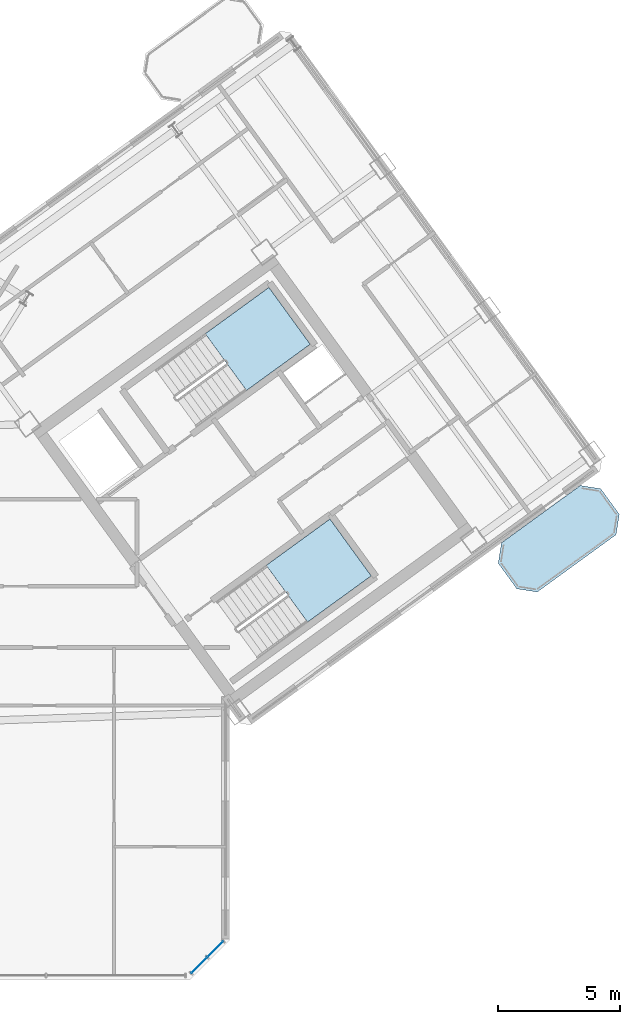
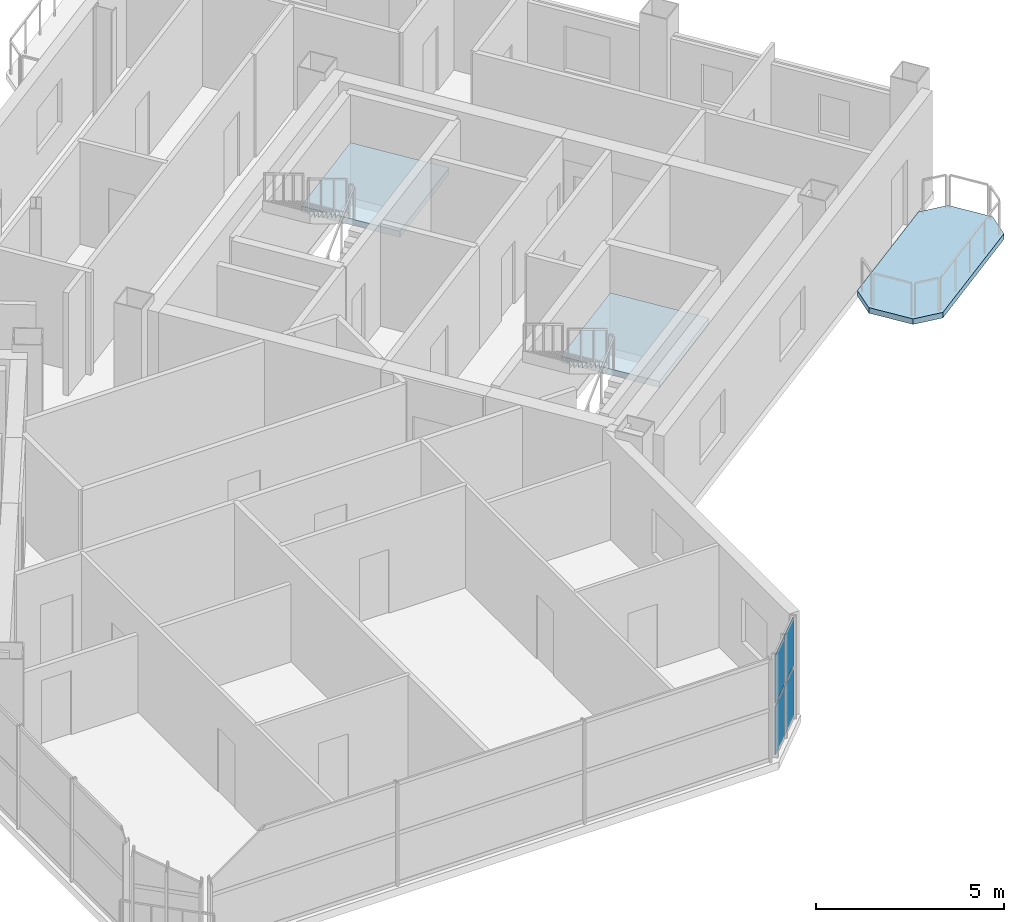
# One storey, part 10 of 21: 4 plates, 3 slabs, 3 elements without a shape of their own.
"""IFC4 building model written with IfcOpenShell, lengths in metres."""

from ifc_helpers import new_model, si_unit, direction, frame, origin, origin_2d, place, context, subcontext, project, spatial, polyline, rectangle, outline, extrude, source, transform, mapped, material, layer, layer_set, type_object, element, aggregate, save


model = new_model("IFC4")

# Units and contexts
model_context = context("Model", 3, precision=1e-05, world=origin(), true_north=direction((0.0, 1.0)))
body_context = subcontext(model_context, "Body", "Model", "MODEL_VIEW")
ifc_project = project(units=[si_unit("LENGTHUNIT", "METRE"), si_unit("AREAUNIT", "SQUARE_METRE"), si_unit("VOLUMEUNIT", "CUBIC_METRE"), si_unit("PLANEANGLEUNIT", "RADIAN"), si_unit("MASSUNIT", "GRAM", prefix="KILO")], contexts=[model_context])

# Site, building, storey
site_placement = place(None, origin())
site = spatial("IfcSite", under=ifc_project, at=site_placement, CompositionType="ELEMENT")
building_placement = place(site_placement, origin())
building = spatial("IfcBuilding", under=site, at=building_placement, Name="Tlacorven Tower", CompositionType="ELEMENT")
storey_placement = place(building_placement, frame((0.0, 0.0, 222.0)))
storey = spatial("IfcBuildingStorey", under=building, at=storey_placement, Name="L56", CompositionType="ELEMENT", Elevation=222.0)

# Slab
ifc_material_1 = material(Name="Precast concrete C45/55", Category="concrete")
ifc_layer_1 = layer(ifc_material_1, 0.179931640625)
ifc_layer_set_1 = layer_set([ifc_layer_1], Name="Precast concrete C45/55")
slab_type_1 = type_object("IfcSlabType", Name="SL-BAL-180", PredefinedType="USERDEFINED", material=ifc_layer_set_1)
slab_1_placement = place(storey_placement, frame((0.0, 0.0, -0.179931640625)))
element("IfcSlab", 1, at=slab_1_placement, inside=storey, type_object=slab_type_1, Name="L56 East Wing Balcony Ribbon OUT", ObjectType="BALCONY SLAB", PredefinedType="USERDEFINED", context=body_context, shape_type="SweptSolid", body=[
    extrude(outline(polyline([(65.025634765625, 17.69482421875), (68.26171875, 20.046142578125), (68.394287109375, 20.884033203125), (67.633056640625, 21.931884765625), (66.795166015625, 22.064453125), (63.55908203125, 19.71337890625), (63.42626953125, 18.875244140625), (64.1875, 17.82763671875), (65.025634765625, 17.69482421875)])), origin(), (0.0, 0.0, 1.0), 0.179931640625),
])

# Stair, slab
ifc_material_2 = material(Name="Concrete C40/50", Category="concrete")
stair_type = type_object("IfcStairType", Name="ST-CORE-DLG", PredefinedType="HALF_TURN_STAIR", material=ifc_material_2)
stair_1_placement = place(storey_placement, origin())
stair_1 = element("IfcStair", 2, at=stair_1_placement, inside=storey, type_object=stair_type, Name="L56 Protected Exit Stair East 1", PredefinedType="HALF_TURN_STAIR")
ifc_layer_2 = layer(ifc_material_2, 0.199951171875)
ifc_layer_set_2 = layer_set([ifc_layer_2], Name="Concrete C40/50")
slab_type_2 = type_object("IfcSlabType", Name="SL-LND-200", PredefinedType="LANDING", material=ifc_layer_set_2)
slab_2_placement = place(storey_placement, frame((0.0, 0.0, 1.60009765625)))
slab_2 = element("IfcSlab", 3, at=slab_2_placement, type_object=slab_type_2, Name="ST-E1 landing 1", PredefinedType="LANDING", context=body_context, shape_type="SweptSolid", body=[
    extrude(outline(polyline([(53.09765625, 25.962890625), (55.7109375, 27.861572265625), (54.01806640625, 30.19140625), (51.40478515625, 28.29296875), (53.09765625, 25.962890625)])), origin(), (0.0, 0.0, 1.0), 0.199951171875),
])
aggregate(stair_1, [slab_2])

stair_2_placement = place(storey_placement, origin())
stair_2 = element("IfcStair", 4, at=stair_2_placement, inside=storey, type_object=stair_type, Name="L56 Protected Exit Stair East 2", PredefinedType="HALF_TURN_STAIR")
slab_3_placement = place(storey_placement, frame((0.0, 0.0, 1.60009765625)))
slab_3 = element("IfcSlab", 5, at=slab_3_placement, type_object=slab_type_2, Name="ST-E2 landing 1", PredefinedType="LANDING", context=body_context, shape_type="SweptSolid", body=[
    extrude(outline(polyline([(55.601806640625, 16.4599609375), (58.21484375, 18.3583984375), (56.52197265625, 20.6884765625), (53.908935546875, 18.789794921875), (55.601806640625, 16.4599609375)])), origin(), (0.0, 0.0, 1.0), 0.199951171875),
])
aggregate(stair_2, [slab_3])

# Curtain wall, plates
ifc_material_3 = material(Name="Dark solar low-E double glazing in aluminium frame", Category="aluminium")
curtain_wall_type = type_object("IfcCurtainWallType", Name="CW-TWR-HIGH", PredefinedType="USERDEFINED", material=ifc_material_3)
curtain_wall_placement = place(storey_placement, origin())
curtain_wall = element("IfcCurtainWall", 6, at=curtain_wall_placement, inside=storey, type_object=curtain_wall_type, Name="L56 CW-TWR-HIGH Curtain Wall 253", ObjectType="UNITISED CURTAIN WALL", PredefinedType="USERDEFINED")
ifc_material_4 = material(Name="High-wind dark solar tempered low-E glazing", Category="glass")
ifc_layer_3 = layer(ifc_material_4, 0.028076171875)
ifc_layer_set_3 = layer_set([ifc_layer_3], Name="High-wind dark solar tempered low-E glazing")
plate_type = type_object("IfcPlateType", Name="CWP-03", PredefinedType="CURTAIN_PANEL", material=ifc_layer_set_3)
shared_shape = source(origin(), body_context, "Body", "SweptSolid", [
    extrude(rectangle(XDim=0.89306640625, YDim=0.028076171875, at=origin_2d()), origin(), (0.0, 0.0, 1.0), 1.572998046875),
])
plate_1_placement = place(storey_placement, frame((51.8173828125, 3.043701171875, 0.05078125), z_axis=(0.0, 0.0, 1.0), x_axis=(-0.707106781187, -0.707106781187, 0.0)))
plate_1 = element("IfcPlate", 7, at=plate_1_placement, type_object=plate_type, Name="CW-L56-253 Glazing Panel 1", PredefinedType="CURTAIN_PANEL", context=body_context, shape_type="MappedRepresentation", body=[
    mapped(shared_shape, transform((0.0, 0.0, 0.0), scale=1.0)),
])
plate_2_placement = place(storey_placement, frame((51.8173828125, 3.043701171875, 1.72607421875), z_axis=(0.0, 0.0, 1.0), x_axis=(-0.707106781187, -0.707106781187, 0.0)))
plate_2 = element("IfcPlate", 8, at=plate_2_placement, type_object=plate_type, Name="CW-L56-253 Glazing Panel 2", PredefinedType="CURTAIN_PANEL", context=body_context, shape_type="MappedRepresentation", body=[
    mapped(shared_shape, transform((0.0, 0.0, 0.0), scale=1.0)),
])
plate_3_placement = place(storey_placement, frame((51.15625, 2.382568359375, 0.05078125), z_axis=(0.0, 0.0, 1.0), x_axis=(-0.707106781187, -0.707106781187, 0.0)))
plate_3 = element("IfcPlate", 9, at=plate_3_placement, type_object=plate_type, Name="CW-L56-253 Glazing Panel 3", PredefinedType="CURTAIN_PANEL", context=body_context, shape_type="MappedRepresentation", body=[
    mapped(shared_shape, transform((0.0, 0.0, 0.0), scale=1.0)),
])
plate_4_placement = place(storey_placement, frame((51.15625, 2.382568359375, 1.72607421875), z_axis=(0.0, 0.0, 1.0), x_axis=(-0.707106781187, -0.707106781187, 0.0)))
plate_4 = element("IfcPlate", 10, at=plate_4_placement, type_object=plate_type, Name="CW-L56-253 Glazing Panel 4", PredefinedType="CURTAIN_PANEL", context=body_context, shape_type="MappedRepresentation", body=[
    mapped(shared_shape, transform((0.0, 0.0, 0.0), scale=1.0)),
])
aggregate(curtain_wall, [plate_1, plate_2, plate_3, plate_4])

save(model, "model.ifc")
